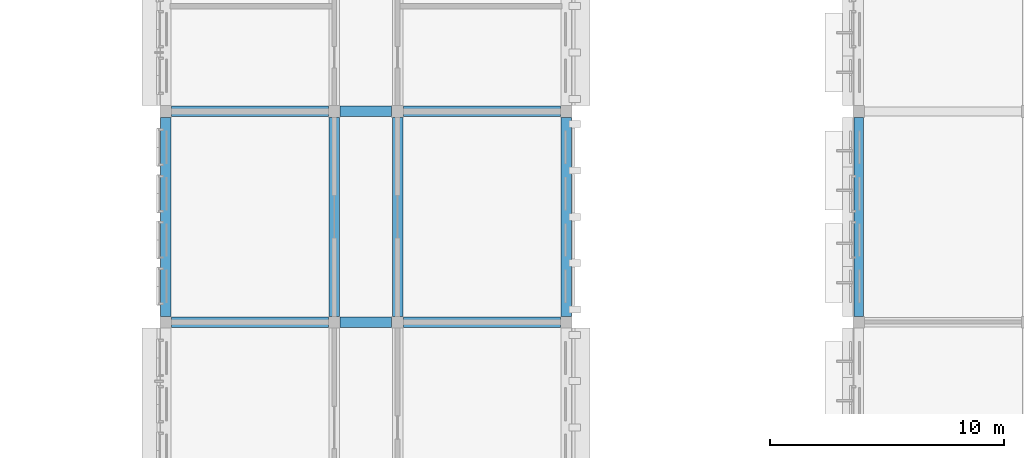
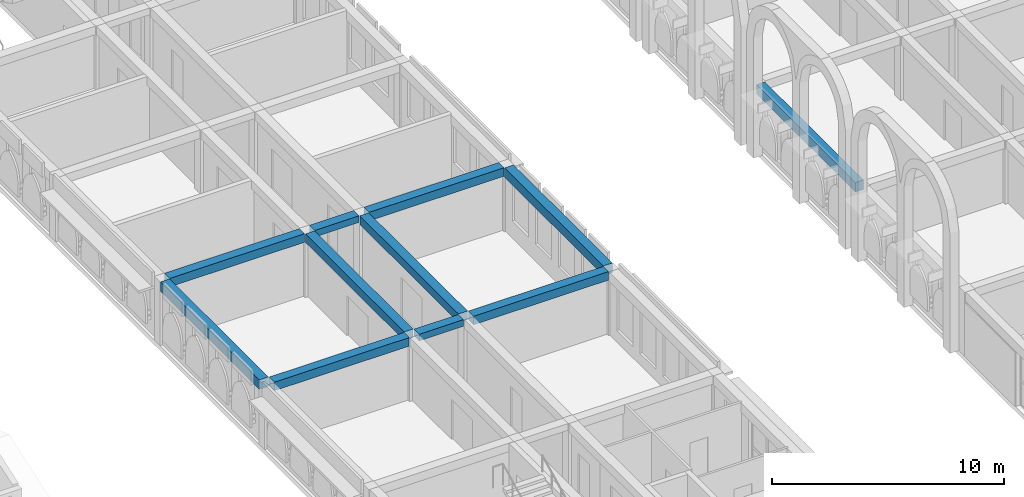
# One storey, part 15 of 70: 11 beams.
"""IFC4 building model written with IfcOpenShell, lengths in metres."""

from ifc_helpers import new_model, si_unit, direction, frame, origin, origin_2d, place, context, subcontext, project, spatial, rectangle, extrude, material, material_profile, profile_set, type_object, element, save


model = new_model("IFC4")

# Units and contexts
model_context = context("Model", 3, precision=1e-05, world=origin(), true_north=direction((0.0, 1.0)))
body_context = subcontext(model_context, "Body", "Model", "MODEL_VIEW")
ifc_project = project(units=[si_unit("LENGTHUNIT", "METRE"), si_unit("AREAUNIT", "SQUARE_METRE"), si_unit("VOLUMEUNIT", "CUBIC_METRE"), si_unit("PLANEANGLEUNIT", "RADIAN"), si_unit("MASSUNIT", "GRAM", prefix="KILO")], contexts=[model_context])

# Site, building, storey
site_placement = place(None, origin())
site = spatial("IfcSite", under=ifc_project, at=site_placement, CompositionType="ELEMENT")
building_placement = place(site_placement, origin())
building = spatial("IfcBuilding", under=site, at=building_placement, Name="Elbe Cascade School", CompositionType="ELEMENT")
storey_placement = place(building_placement, frame((0.0, 0.0, 8.10009765625)))
storey = spatial("IfcBuildingStorey", under=building, at=storey_placement, Name="L02", CompositionType="ELEMENT", Elevation=8.10009765625)

# Beams
ifc_material_1 = material(Name="Concrete C30/37", Category="concrete")
ifc_material_profile_1 = material_profile(ifc_material_1, rectangle(XDim=0.39990234375, YDim=0.5, at=origin_2d()), Name="RC 400x500")
ifc_profile_set_1 = profile_set([ifc_material_profile_1], Name="Concrete C30/37")
beam_type_1 = type_object("IfcBeamType", Name="RC 400x500 beam", PredefinedType="BEAM", material=ifc_profile_set_1)
beam_1_placement = place(storey_placement, frame((98.60009765625, 24.25, 3.099853515625), z_axis=(0.0, 1.0, 0.0), x_axis=(-1.0, 0.0, 0.0)))
element("IfcBeam", 1, at=beam_1_placement, inside=storey, type_object=beam_type_1, Name="RC 400x500 beam B1", PredefinedType="BEAM", context=body_context, shape_type="SweptSolid", body=[
    extrude(rectangle(XDim=0.39990234375, YDim=0.5, at=origin_2d()), origin(), (0.0, 0.0, 1.0), 8.5),
])
ifc_material_2 = material(Name="Concrete C30/37", Category="concrete")
ifc_material_profile_2 = material_profile(ifc_material_2, rectangle(XDim=0.449951171875, YDim=0.35009765625, at=origin_2d()), Name="RC 450x350")
ifc_profile_set_2 = profile_set([ifc_material_profile_2], Name="Concrete C30/37")
beam_type_2 = type_object("IfcBeamType", Name="RC 450x350 beam", PredefinedType="BEAM", material=ifc_profile_set_2)
for number, where, z_axis, x_axis, name in (
    (2, (76.449951171875, 24.0, 3.1748046875), (1.0, 0.0, 0.0), (0.0, 1.0, 0.0), "RC 450x350 beam B11"),
    (3, (76.449951171875, 33.0, 3.1748046875), (1.0, 0.0, 0.0), (0.0, 1.0, 0.0), "RC 450x350 beam B11"),
):
    element("IfcBeam", number, at=place(storey_placement, frame(where, z_axis=z_axis, x_axis=x_axis)), inside=storey, type_object=beam_type_2, Name=name, PredefinedType="BEAM", context=body_context, shape_type="SweptSolid", body=[
        extrude(rectangle(XDim=0.449951171875, YDim=0.35009765625, at=origin_2d()), origin(), (0.0, 0.0, 1.0), 2.199951171875),
    ])
ifc_material_3 = material(Name="Concrete C30/37", Category="concrete")
ifc_material_profile_3 = material_profile(ifc_material_3, rectangle(XDim=0.449951171875, YDim=0.449951171875, at=origin_2d()), Name="RC 450x450")
ifc_profile_set_3 = profile_set([ifc_material_profile_3], Name="Concrete C30/37")
beam_type_3 = type_object("IfcBeamType", Name="RC 450x450 beam", PredefinedType="BEAM", material=ifc_profile_set_3)
for number, where, z_axis, x_axis, name in (
    (4, (76.199951171875, 24.25, 3.125), (0.0, 1.0, 0.0), (-1.0, 0.0, 0.0), "RC 450x450 beam B10"),
    (5, (78.89990234375, 24.25, 3.125), (0.0, 1.0, 0.0), (-1.0, 0.0, 0.0), "RC 450x450 beam B10"),
):
    element("IfcBeam", number, at=place(storey_placement, frame(where, z_axis=z_axis, x_axis=x_axis)), inside=storey, type_object=beam_type_3, Name=name, PredefinedType="BEAM", context=body_context, shape_type="SweptSolid", body=[
        extrude(rectangle(XDim=0.449951171875, YDim=0.449951171875, at=origin_2d()), origin(), (0.0, 0.0, 1.0), 8.5),
    ])
beam_2_placement = place(storey_placement, frame((69.25, 24.0, 3.125), z_axis=(1.0, 0.0, 0.0), x_axis=(0.0, 1.0, 0.0)))
element("IfcBeam", 6, at=beam_2_placement, inside=storey, type_object=beam_type_3, Name="RC 450x450 beam B10", PredefinedType="BEAM", context=body_context, shape_type="SweptSolid", body=[
    extrude(rectangle(XDim=0.449951171875, YDim=0.449951171875, at=origin_2d()), origin(), (0.0, 0.0, 1.0), 6.699951171875),
])
beam_3_placement = place(storey_placement, frame((79.14990234375, 24.0, 3.125), z_axis=(1.0, 0.0, 0.0), x_axis=(0.0, 1.0, 0.0)))
element("IfcBeam", 7, at=beam_3_placement, inside=storey, type_object=beam_type_3, Name="RC 450x450 beam B10", PredefinedType="BEAM", context=body_context, shape_type="SweptSolid", body=[
    extrude(rectangle(XDim=0.449951171875, YDim=0.449951171875, at=origin_2d()), origin(), (0.0, 0.0, 1.0), 6.7001953125),
])
beam_4_placement = place(storey_placement, frame((69.25, 33.0, 3.125), z_axis=(1.0, 0.0, 0.0), x_axis=(0.0, 1.0, 0.0)))
element("IfcBeam", 8, at=beam_4_placement, inside=storey, type_object=beam_type_3, Name="RC 450x450 beam B10", PredefinedType="BEAM", context=body_context, shape_type="SweptSolid", body=[
    extrude(rectangle(XDim=0.449951171875, YDim=0.449951171875, at=origin_2d()), origin(), (0.0, 0.0, 1.0), 6.699951171875),
])
beam_5_placement = place(storey_placement, frame((79.14990234375, 33.0, 3.125), z_axis=(1.0, 0.0, 0.0), x_axis=(0.0, 1.0, 0.0)))
element("IfcBeam", 9, at=beam_5_placement, inside=storey, type_object=beam_type_3, Name="RC 450x450 beam B10", PredefinedType="BEAM", context=body_context, shape_type="SweptSolid", body=[
    extrude(rectangle(XDim=0.449951171875, YDim=0.449951171875, at=origin_2d()), origin(), (0.0, 0.0, 1.0), 6.7001953125),
])
ifc_material_4 = material(Name="Concrete C30/37", Category="concrete")
ifc_material_profile_4 = material_profile(ifc_material_4, rectangle(XDim=0.449951171875, YDim=0.5, at=origin_2d()), Name="RC 450x500")
ifc_profile_set_4 = profile_set([ifc_material_profile_4], Name="Concrete C30/37")
beam_type_4 = type_object("IfcBeamType", Name="RC 450x500 beam", PredefinedType="BEAM", material=ifc_profile_set_4)
for number, where, z_axis, x_axis, name in (
    (10, (69.0, 24.25, 3.099853515625), (0.0, 1.0, 0.0), (-1.0, 0.0, 0.0), "RC 450x500 beam B9"),
    (11, (86.10009765625, 24.25, 3.099853515625), (0.0, 1.0, 0.0), (-1.0, 0.0, 0.0), "RC 450x500 beam B9"),
):
    element("IfcBeam", number, at=place(storey_placement, frame(where, z_axis=z_axis, x_axis=x_axis)), inside=storey, type_object=beam_type_4, Name=name, PredefinedType="BEAM", context=body_context, shape_type="SweptSolid", body=[
        extrude(rectangle(XDim=0.449951171875, YDim=0.5, at=origin_2d()), origin(), (0.0, 0.0, 1.0), 8.5),
    ])

save(model, "model.ifc")
